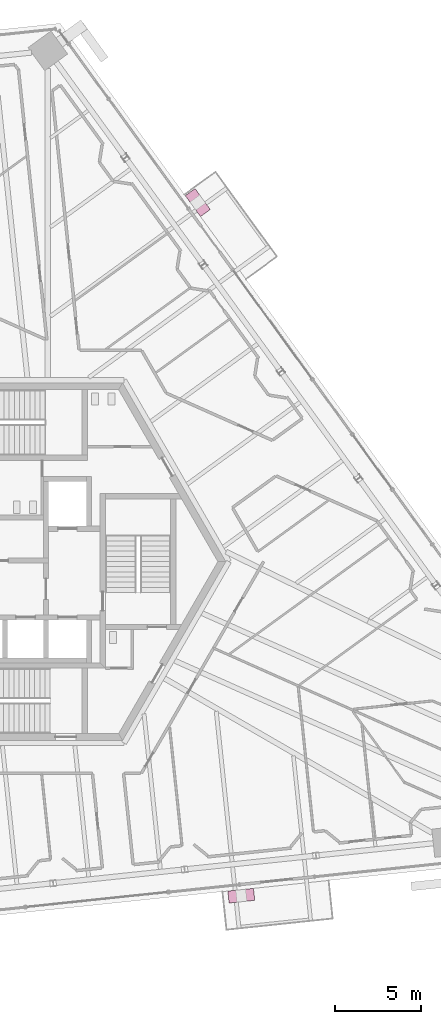
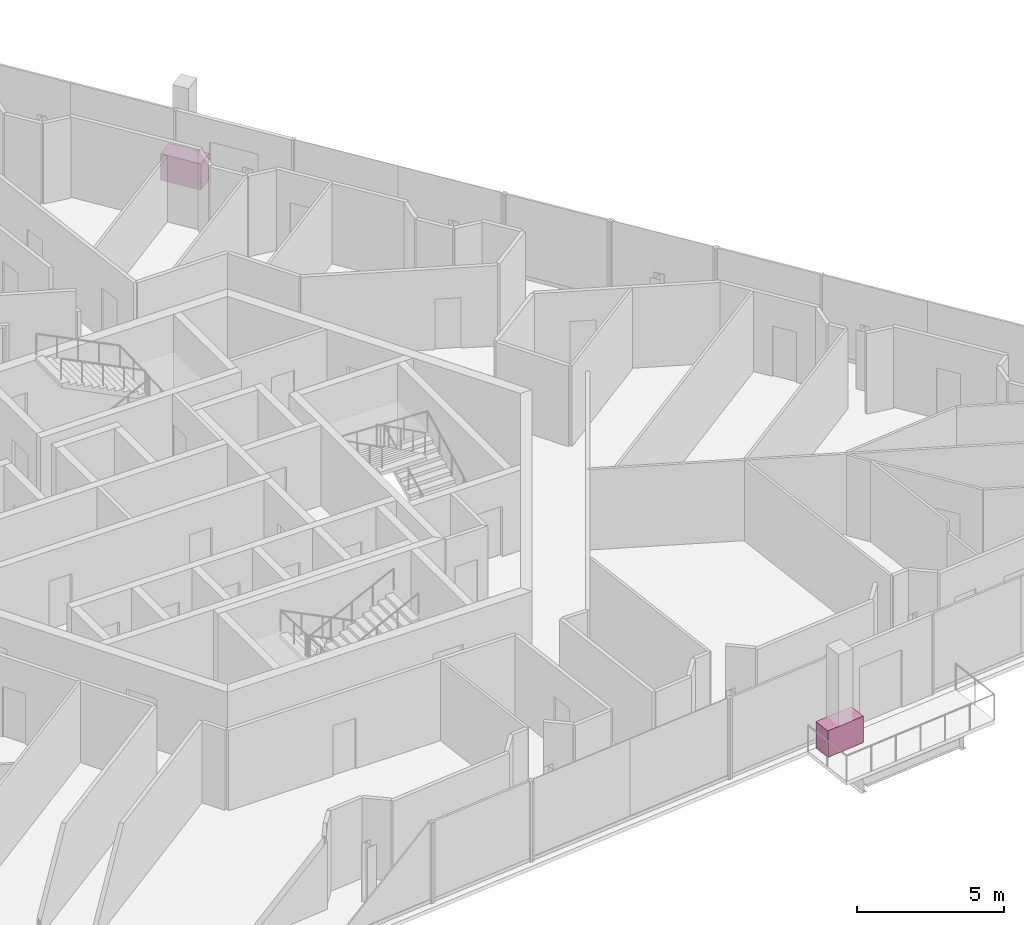
# One storey, part 25 of 26: 2 furniture elements.
"""IFC4 building model written with IfcOpenShell, lengths in metres."""

from ifc_helpers import new_model, si_unit, direction, frame, origin, origin_2d, place, context, subcontext, project, spatial, rectangle, extrude, source, transform, mapped, material, type_object, element, save


model = new_model("IFC4")

# Units and contexts
model_context = context("Model", 3, precision=1e-05, world=origin(), true_north=direction((0.0, 1.0)))
body_context = subcontext(model_context, "Body", "Model", "MODEL_VIEW")
ifc_project = project(units=[si_unit("LENGTHUNIT", "METRE"), si_unit("AREAUNIT", "SQUARE_METRE"), si_unit("VOLUMEUNIT", "CUBIC_METRE"), si_unit("PLANEANGLEUNIT", "RADIAN"), si_unit("MASSUNIT", "GRAM", prefix="KILO")], contexts=[model_context])

# Site, building, storey
site_placement = place(None, origin())
site = spatial("IfcSite", under=ifc_project, at=site_placement, CompositionType="ELEMENT")
building_placement = place(site_placement, origin())
building = spatial("IfcBuilding", under=site, at=building_placement, Name="Triune Harvest Tower", CompositionType="ELEMENT")
storey_placement = place(building_placement, frame((0.0, 0.0, 252.10009765625)))
storey = spatial("IfcBuildingStorey", under=building, at=storey_placement, Name="L66", CompositionType="ELEMENT", Elevation=252.10009765625)

# Furniture
ifc_material = material(Name="Concrete 40 MPa", Category="concrete")
furniture_type = type_object("IfcFurnitureType", Name="PB-1 structural planter", AssemblyPlace="SITE", PredefinedType="USERDEFINED", material=ifc_material)
shared_shape = source(origin(), body_context, "Body", "SweptSolid", [
    extrude(rectangle(XDim=1.5, YDim=0.699951171875, at=origin_2d()), origin(), (0.0, 0.0, 1.0), 1.10009765625),
])
for number, where, z_axis, x_axis, name in (
    (1, (10.37109375, 20.86328125, -0.000244140625), (0.0, 0.0, 1.0), (-0.587785672066, 0.809016689391, 0.0), "Planter B6-F1 L66.8b"),
    (2, (12.89892578125, -19.41162109375, -0.000244140625), (0.0, 0.0, 1.0), (0.994521747579, 0.104529869379, 0.0), "Planter B6-F5 L66.9a"),
):
    element("IfcFurniture", number, at=place(storey_placement, frame(where, z_axis=z_axis, x_axis=x_axis)), inside=storey, type_object=furniture_type, Name=name, ObjectType="PLANTER", PredefinedType="USERDEFINED", context=body_context, shape_type="MappedRepresentation", body=[
        mapped(shared_shape, transform((0.0, 0.0, 0.0), scale=1.0)),
    ])

save(model, "model.ifc")
